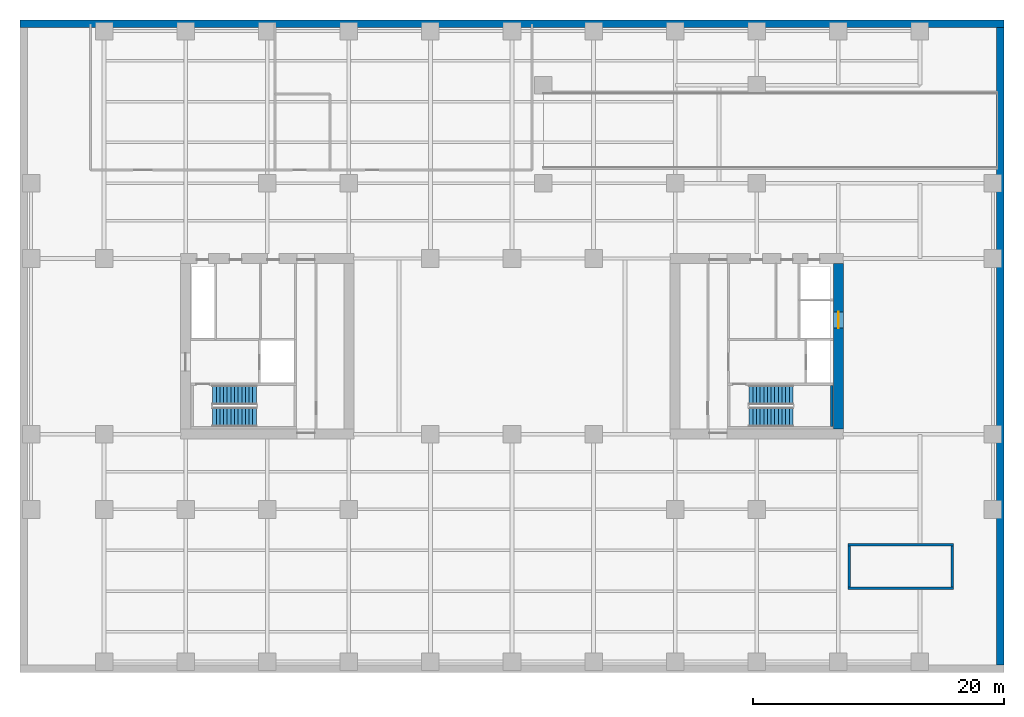
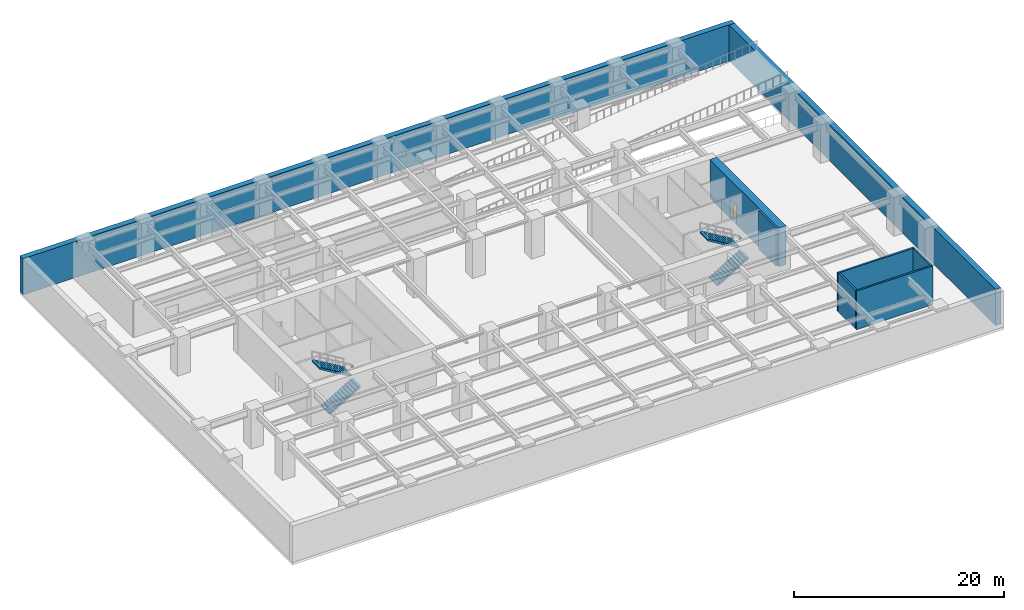
# One storey, part 7 of 10: 8 walls, 4 stair flights, 1 door, 1 opening, 2 elements without a shape of their own.
"""IFC4 building model written with IfcOpenShell, lengths in metres."""

from ifc_helpers import new_model, si_unit, direction, frame, frame_2d, origin, place, context, subcontext, project, spatial, polyline, rectangle, outline, extrude, material, layer, layer_set, type_object, element, fill, aggregate, save


model = new_model("IFC4")

# Units and contexts
model_context = context("Model", 3, precision=1e-05, world=origin(), true_north=direction((0.0, 1.0)))
body_context = subcontext(model_context, "Body", "Model", "MODEL_VIEW")
ifc_project = project(units=[si_unit("LENGTHUNIT", "METRE"), si_unit("AREAUNIT", "SQUARE_METRE"), si_unit("VOLUMEUNIT", "CUBIC_METRE"), si_unit("PLANEANGLEUNIT", "RADIAN"), si_unit("MASSUNIT", "GRAM", prefix="KILO")], contexts=[model_context])

# Site, building, storey
site_placement = place(None, origin())
site = spatial("IfcSite", under=ifc_project, at=site_placement, CompositionType="ELEMENT")
building_placement = place(site_placement, origin())
building = spatial("IfcBuilding", under=site, at=building_placement, Name="Putna Gate Headquarters", CompositionType="ELEMENT")
storey_placement = place(building_placement, frame((0.0, 0.0, -4.5)))
storey = spatial("IfcBuildingStorey", under=building, at=storey_placement, Name="B01", CompositionType="ELEMENT", Elevation=-4.5)

# Wall, opening, door
ifc_material_1 = material(Name="Concrete C60/75", Category="concrete")
ifc_layer_1 = layer(ifc_material_1, 0.800048828125)
ifc_layer_set_1 = layer_set([ifc_layer_1], Name="Concrete C60/75")
wall_type_1 = type_object("IfcWallType", Name="WALL-CORE-800", PredefinedType="SHEAR", material=ifc_layer_set_1)
wall_1_placement = place(storey_placement, frame((65.0, 19.39990234375, 0.0), z_axis=(0.0, 0.0, 1.0), x_axis=(0.0, 1.0, 0.0)))
wall_1 = element("IfcWall", 1, at=wall_1_placement, inside=storey, type_object=wall_type_1, Name="B01 EC Split Core Shear Wall E", PredefinedType="SHEAR", context=body_context, shape_type="SweptSolid", body=[
    extrude(rectangle(XDim=13.2001953125, YDim=0.800048828125, at=frame_2d((6.60009765625, 0.0))), origin(), (0.0, 0.0, 1.0), 4.5),
])
opening_placement = place(wall_1_placement, frame((8.050048828125, 0.0, 0.0)))
opening = element("IfcOpeningElement", 2, at=opening_placement, cuts=wall_1, Name="Opening LD-2", PredefinedType="OPENING", context=body_context, shape_type="SweptSolid", body=[
    extrude(rectangle(XDim=1.300048828125, YDim=2.199951171875, at=frame_2d((0.64990234375, 1.10009765625))), frame((0.0, 0.409912109375, 0.0), z_axis=(0.0, -1.0, 0.0), x_axis=(1.0, 0.0, 0.0)), (0.0, 0.0, 1.0), 0.820068359375),
])
ifc_material_2 = material(Name="Heavy-duty goods lift sliding landing door")
door_type = type_object("IfcDoorType", Name="DOOR-LIFT-1300", OperationType="DOUBLE_DOOR_SLIDING", PredefinedType="DOOR", material=ifc_material_2)
door_placement = place(opening_placement, origin())
door = element("IfcDoor", 3, at=door_placement, inside=storey, type_object=door_type, Name="B01 Goods Lift Landing Door LD-15", OperationType="DOUBLE_DOOR_SLIDING", OverallHeight=2.199951171875, OverallWidth=1.300048828125, PredefinedType="DOOR", context=body_context, shape_type="SweptSolid", body=[
    extrude(rectangle(XDim=1.300048828125, YDim=2.199951171875, at=frame_2d((0.64990234375, 1.10009765625))), frame((0.0, 0.02490234375, 0.0), z_axis=(0.0, -1.0, 0.0), x_axis=(1.0, 0.0, 0.0)), (0.0, 0.0, 1.0), 0.050048828125),
])
fill(opening, door)

# Walls
ifc_material_3 = material(Name="Concrete C40/50", Category="concrete")
ifc_layer_2 = layer(ifc_material_3, 0.60009765625)
ifc_layer_set_2 = layer_set([ifc_layer_2], Name="Concrete C40/50")
wall_type_2 = type_object("IfcWallType", Name="WALL-RET-600", PredefinedType="USERDEFINED", material=ifc_layer_set_2)
wall_2_placement = place(storey_placement, frame((78.199951171875, 51.699951171875, 0.0), z_axis=(0.0, 0.0, 1.0), x_axis=(-1.0, 0.0, 0.0)))
element("IfcWall", 4, at=wall_2_placement, inside=storey, type_object=wall_type_2, Name="B01 Basement Retaining Wall N", ObjectType="RETAININGWALL", PredefinedType="USERDEFINED", context=body_context, shape_type="SweptSolid", body=[
    extrude(rectangle(XDim=78.39990234375, YDim=0.60009765625, at=frame_2d((39.199951171875, 0.0))), origin(), (0.0, 0.0, 1.0), 4.219970703125),
])
wall_3_placement = place(storey_placement, frame((77.89990234375, 0.60009765625, 0.0), z_axis=(0.0, 0.0, 1.0), x_axis=(0.0, 1.0, 0.0)))
element("IfcWall", 5, at=wall_3_placement, inside=storey, type_object=wall_type_2, Name="B01 Basement Retaining Wall E", ObjectType="RETAININGWALL", PredefinedType="USERDEFINED", context=body_context, shape_type="SweptSolid", body=[
    extrude(rectangle(XDim=50.7998046875, YDim=0.60009765625, at=frame_2d((25.39990234375, 0.0))), origin(), (0.0, 0.0, 1.0), 4.219970703125),
])
ifc_layer_3 = layer(ifc_material_3, 0.199951171875)
ifc_layer_set_3 = layer_set([ifc_layer_3], Name="Concrete C40/50")
wall_type_3 = type_object("IfcWallType", Name="WALL-SHAFT-RC200", PredefinedType="SHEAR", material=ifc_layer_set_3)
wall_4_placement = place(storey_placement, frame((64.489990234375, 19.610107421875, 0.0), z_axis=(0.0, 0.0, 1.0), x_axis=(0.0, 1.0, 0.0)))
element("IfcWall", 6, at=wall_4_placement, inside=storey, type_object=wall_type_3, Name="B01 Stair ST2 Structural Shaft Wall E", PredefinedType="SHEAR", context=body_context, shape_type="SweptSolid", body=[
    extrude(rectangle(XDim=3.27978515625, YDim=0.199951171875, at=frame_2d((1.639892578125, 0.0))), origin(), (0.0, 0.0, 1.0), 4.5),
])
for number, where, z_axis, x_axis, name in (
    (7, (65.760009765625, 6.7099609375, 0.0), (0.0, 0.0, 1.0), (1.0, 0.0, 0.0), "B01 Stair ST3 Structural Shaft Wall S"),
    (8, (65.760009765625, 10.18994140625, 0.0), (0.0, 0.0, 1.0), (1.0, 0.0, 0.0), "B01 Stair ST3 Structural Shaft Wall N"),
):
    element("IfcWall", number, at=place(storey_placement, frame(where, z_axis=z_axis, x_axis=x_axis)), inside=storey, type_object=wall_type_3, Name=name, PredefinedType="SHEAR", context=body_context, shape_type="SweptSolid", body=[
        extrude(rectangle(XDim=8.429931640625, YDim=0.199951171875, at=frame_2d((4.21484375, 0.0))), origin(), (0.0, 0.0, 1.0), 4.5),
    ])
for number, where, z_axis, x_axis, name in (
    (9, (65.860107421875, 6.81005859375, 0.0), (0.0, 0.0, 1.0), (0.0, 1.0, 0.0), "B01 Stair ST3 Structural Shaft Wall W"),
    (10, (74.090087890625, 6.81005859375, 0.0), (0.0, 0.0, 1.0), (0.0, 1.0, 0.0), "B01 Stair ST3 Structural Shaft Wall E"),
):
    element("IfcWall", number, at=place(storey_placement, frame(where, z_axis=z_axis, x_axis=x_axis)), inside=storey, type_object=wall_type_3, Name=name, PredefinedType="SHEAR", context=body_context, shape_type="SweptSolid", body=[
        extrude(rectangle(XDim=3.280029296875, YDim=0.199951171875, at=frame_2d((1.64013671875, 0.0))), origin(), (0.0, 0.0, 1.0), 4.5),
    ])

# Stair, stair flights
stair_type_1 = type_object("IfcStairType", Name="STAIR-ST1", PredefinedType="HALF_TURN_STAIR", material=ifc_material_3)
stair_1_placement = place(storey_placement, origin())
stair_1 = element("IfcStair", 11, at=stair_1_placement, inside=storey, type_object=stair_type_1, Name="B01 West Core Exit Stair ST1", PredefinedType="HALF_TURN_STAIR")
stair_flight_type_1 = type_object("IfcStairFlightType", Name="FLIGHT-ST1", PredefinedType="STRAIGHT", material=ifc_material_3)
stair_flight_1_placement = place(storey_placement, frame((15.14990234375, 20.375, 0.0), z_axis=(0.0, 0.0, 1.0), x_axis=(1.0, 0.0, 0.0)))
stair_flight_1 = element("IfcStairFlight", 12, at=stair_flight_1_placement, type_object=stair_flight_type_1, Name="ST1 flight 1", NumberOfRisers=13, NumberOfTreads=12, PredefinedType="STRAIGHT", RiserHeight=0.173076923, TreadLength=0.29, context=body_context, shape_type="SweptSolid", body=[
    extrude(outline(polyline([(0.0, 0.0), (0.0, 0.173095703125), (0.2900390625, 0.173095703125), (0.2900390625, 0.34619140625), (0.580078125, 0.34619140625), (0.580078125, 0.519287109375), (0.8701171875, 0.519287109375), (0.8701171875, 0.6923828125), (1.159912109375, 0.6923828125), (1.159912109375, 0.865478515625), (1.449951171875, 0.865478515625), (1.449951171875, 1.03857421875), (1.739990234375, 1.03857421875), (1.739990234375, 1.21142578125), (2.030029296875, 1.21142578125), (2.030029296875, 1.384521484375), (2.320068359375, 1.384521484375), (2.320068359375, 1.5576171875), (2.610107421875, 1.5576171875), (2.610107421875, 1.730712890625), (2.89990234375, 1.730712890625), (2.89990234375, 1.90380859375), (3.18994140625, 1.90380859375), (3.18994140625, 2.076904296875), (3.47998046875, 2.076904296875), (3.47998046875, 2.25), (3.47998046875, 1.90234375), (0.29248046875, 0.0), (0.0, 0.0)])), frame((0.0, 0.77490234375, 0.0), z_axis=(0.0, -1.0, 0.0), x_axis=(1.0, 0.0, 0.0)), (0.0, 0.0, 1.0), 1.550048828125),
])
stair_flight_2_placement = place(storey_placement, frame((18.6298828125, 22.125, 2.25), z_axis=(0.0, 0.0, 1.0), x_axis=(-1.0, 0.0, 0.0)))
stair_flight_2 = element("IfcStairFlight", 13, at=stair_flight_2_placement, type_object=stair_flight_type_1, Name="ST1 flight 2", NumberOfRisers=13, NumberOfTreads=12, PredefinedType="STRAIGHT", RiserHeight=0.173076923, TreadLength=0.29, context=body_context, shape_type="SweptSolid", body=[
    extrude(outline(polyline([(0.0, 0.0), (0.0, 0.173095703125), (0.2900390625, 0.173095703125), (0.2900390625, 0.34619140625), (0.580078125, 0.34619140625), (0.580078125, 0.519287109375), (0.8701171875, 0.519287109375), (0.8701171875, 0.6923828125), (1.159912109375, 0.6923828125), (1.159912109375, 0.865478515625), (1.449951171875, 0.865478515625), (1.449951171875, 1.03857421875), (1.739990234375, 1.03857421875), (1.739990234375, 1.21142578125), (2.030029296875, 1.21142578125), (2.030029296875, 1.384521484375), (2.320068359375, 1.384521484375), (2.320068359375, 1.5576171875), (2.610107421875, 1.5576171875), (2.610107421875, 1.730712890625), (2.89990234375, 1.730712890625), (2.89990234375, 1.90380859375), (3.18994140625, 1.90380859375), (3.18994140625, 2.076904296875), (3.47998046875, 2.076904296875), (3.47998046875, 2.25), (3.47998046875, 1.90234375), (0.29248046875, 0.0), (0.0, 0.0)])), frame((0.0, 0.77490234375, 0.0), z_axis=(0.0, -1.0, 0.0), x_axis=(1.0, 0.0, 0.0)), (0.0, 0.0, 1.0), 1.550048828125),
])
aggregate(stair_1, [stair_flight_1, stair_flight_2])

stair_type_2 = type_object("IfcStairType", Name="STAIR-ST2", PredefinedType="HALF_TURN_STAIR", material=ifc_material_3)
stair_2_placement = place(storey_placement, origin())
stair_2 = element("IfcStair", 14, at=stair_2_placement, inside=storey, type_object=stair_type_2, Name="B01 East Core Exit Stair ST2", PredefinedType="HALF_TURN_STAIR")
stair_flight_type_2 = type_object("IfcStairFlightType", Name="FLIGHT-ST2", PredefinedType="STRAIGHT", material=ifc_material_3)
stair_flight_3_placement = place(storey_placement, frame((57.89990234375, 20.375, 0.0), z_axis=(0.0, 0.0, 1.0), x_axis=(1.0, 0.0, 0.0)))
stair_flight_3 = element("IfcStairFlight", 15, at=stair_flight_3_placement, type_object=stair_flight_type_2, Name="ST2 flight 1", NumberOfRisers=13, NumberOfTreads=12, PredefinedType="STRAIGHT", RiserHeight=0.173076923, TreadLength=0.29, context=body_context, shape_type="SweptSolid", body=[
    extrude(outline(polyline([(0.0, 0.0), (0.0, 0.173095703125), (0.2900390625, 0.173095703125), (0.2900390625, 0.34619140625), (0.580078125, 0.34619140625), (0.580078125, 0.519287109375), (0.8701171875, 0.519287109375), (0.8701171875, 0.6923828125), (1.159912109375, 0.6923828125), (1.159912109375, 0.865478515625), (1.449951171875, 0.865478515625), (1.449951171875, 1.03857421875), (1.739990234375, 1.03857421875), (1.739990234375, 1.21142578125), (2.030029296875, 1.21142578125), (2.030029296875, 1.384521484375), (2.320068359375, 1.384521484375), (2.320068359375, 1.5576171875), (2.610107421875, 1.5576171875), (2.610107421875, 1.730712890625), (2.89990234375, 1.730712890625), (2.89990234375, 1.90380859375), (3.18994140625, 1.90380859375), (3.18994140625, 2.076904296875), (3.47998046875, 2.076904296875), (3.47998046875, 2.25), (3.47998046875, 1.90234375), (0.29248046875, 0.0), (0.0, 0.0)])), frame((0.0, 0.77490234375, 0.0), z_axis=(0.0, -1.0, 0.0), x_axis=(1.0, 0.0, 0.0)), (0.0, 0.0, 1.0), 1.550048828125),
])
stair_flight_4_placement = place(storey_placement, frame((61.3798828125, 22.125, 2.25), z_axis=(0.0, 0.0, 1.0), x_axis=(-1.0, 0.0, 0.0)))
stair_flight_4 = element("IfcStairFlight", 16, at=stair_flight_4_placement, type_object=stair_flight_type_2, Name="ST2 flight 2", NumberOfRisers=13, NumberOfTreads=12, PredefinedType="STRAIGHT", RiserHeight=0.173076923, TreadLength=0.29, context=body_context, shape_type="SweptSolid", body=[
    extrude(outline(polyline([(0.0, 0.0), (0.0, 0.173095703125), (0.2900390625, 0.173095703125), (0.2900390625, 0.34619140625), (0.580078125, 0.34619140625), (0.580078125, 0.519287109375), (0.8701171875, 0.519287109375), (0.8701171875, 0.6923828125), (1.159912109375, 0.6923828125), (1.159912109375, 0.865478515625), (1.449951171875, 0.865478515625), (1.449951171875, 1.03857421875), (1.739990234375, 1.03857421875), (1.739990234375, 1.21142578125), (2.030029296875, 1.21142578125), (2.030029296875, 1.384521484375), (2.320068359375, 1.384521484375), (2.320068359375, 1.5576171875), (2.610107421875, 1.5576171875), (2.610107421875, 1.730712890625), (2.89990234375, 1.730712890625), (2.89990234375, 1.90380859375), (3.18994140625, 1.90380859375), (3.18994140625, 2.076904296875), (3.47998046875, 2.076904296875), (3.47998046875, 2.25), (3.47998046875, 1.90234375), (0.29248046875, 0.0), (0.0, 0.0)])), frame((0.0, 0.77490234375, 0.0), z_axis=(0.0, -1.0, 0.0), x_axis=(1.0, 0.0, 0.0)), (0.0, 0.0, 1.0), 1.550048828125),
])
aggregate(stair_2, [stair_flight_3, stair_flight_4])

save(model, "model.ifc")
